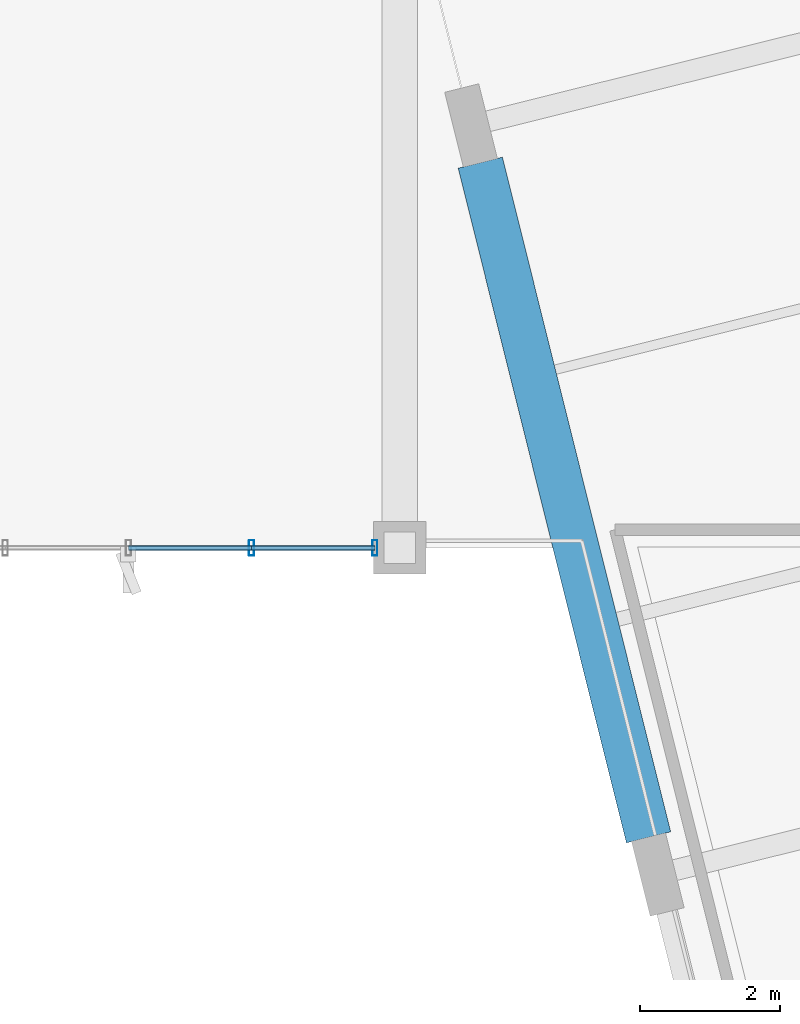
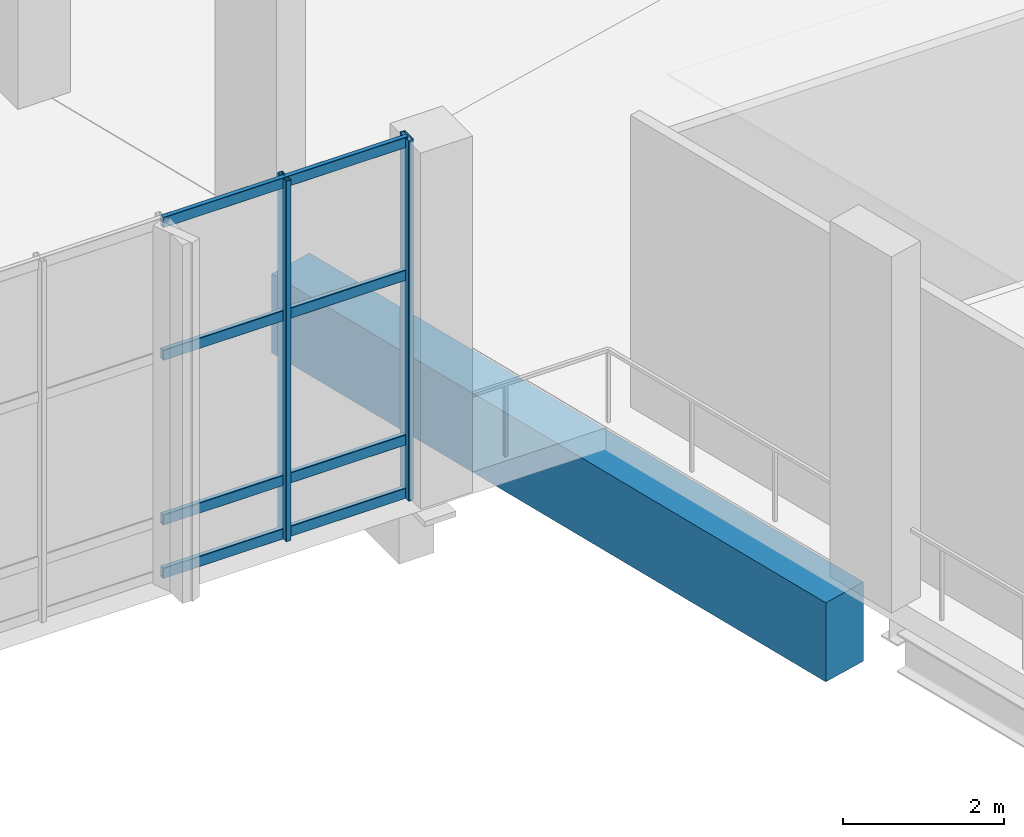
# One storey, part 72 of 176: 10 members, 1 beam, 1 element without a shape of its own.
"""IFC4 building model written with IfcOpenShell, lengths in metres."""

from ifc_helpers import new_model, si_unit, direction, frame, origin, origin_2d, place, context, subcontext, project, spatial, rectangle, hollow_rectangle, extrude, material, layer, layer_set, material_profile, profile_set, type_object, element, aggregate, save


model = new_model("IFC4")

# Units and contexts
model_context = context("Model", 3, precision=1e-05, world=origin(), true_north=direction((0.0, 1.0)))
body_context = subcontext(model_context, "Body", "Model", "MODEL_VIEW")
ifc_project = project(units=[si_unit("LENGTHUNIT", "METRE"), si_unit("AREAUNIT", "SQUARE_METRE"), si_unit("VOLUMEUNIT", "CUBIC_METRE"), si_unit("PLANEANGLEUNIT", "RADIAN"), si_unit("MASSUNIT", "GRAM", prefix="KILO")], contexts=[model_context])

# Site, building, storey
site_placement = place(None, origin())
site = spatial("IfcSite", under=ifc_project, at=site_placement, CompositionType="ELEMENT")
building_placement = place(site_placement, origin())
building = spatial("IfcBuilding", under=site, at=building_placement, Name="Khorjan Park Terminus", CompositionType="ELEMENT")
storey_placement = place(building_placement, frame((0.0, 0.0, 6.0)))
storey = spatial("IfcBuildingStorey", under=building, at=storey_placement, Name="L01", CompositionType="ELEMENT", Elevation=6.0)

# Beam
ifc_material_1 = material(Name="Concrete C40/50", Category="concrete")
ifc_material_profile_1 = material_profile(ifc_material_1, rectangle(XDim=0.65, YDim=1.2, at=origin_2d()), Name="RC 650x1200")
ifc_profile_set_1 = profile_set([ifc_material_profile_1], Name="Concrete C40/50")
beam_type = type_object("IfcBeamType", Name="BM-RC650x1200", PredefinedType="BEAM", material=ifc_profile_set_1)
beam_placement = place(storey_placement, frame((160.5459, 23.8753, -0.96), z_axis=(-0.24192775306, 0.970294265828, 0.0), x_axis=(-0.970294265828, -0.24192775306, 0.0)))
element("IfcBeam", 1, at=beam_placement, inside=storey, type_object=beam_type, Name="Primary skew-grid floor girder GB-12 (L01)", PredefinedType="BEAM", context=body_context, shape_type="SweptSolid", body=[
    extrude(rectangle(XDim=0.65, YDim=1.2, at=origin_2d()), origin(), (0.0, 0.0, 1.0), 9.91),
])

# Curtain wall, members
ifc_material_2 = material(Name="Anodized Bronze Aluminium", Category="aluminium")
ifc_layer = layer(ifc_material_2, 0.22)
ifc_layer_set = layer_set([ifc_layer], Name="Anodized Bronze Aluminium")
curtain_wall_type = type_object("IfcCurtainWallType", Name="CW-OPS-B", PredefinedType="NOTDEFINED", material=ifc_layer_set)
curtain_wall_placement = place(storey_placement, origin())
curtain_wall = element("IfcCurtainWall", 2, at=curtain_wall_placement, inside=storey, type_object=curtain_wall_type, Name="Unitized curtain wall CW-B (CW-V5L-S-L01-2)", PredefinedType="NOTDEFINED")
ifc_material_profile_2 = material_profile(ifc_material_2, hollow_rectangle(XDim=0.075, YDim=0.225, WallThickness=0.005, InnerFilletRadius=0.005, OuterFilletRadius=0.01, at=origin_2d()), Name="ALM 75x225x5")
ifc_profile_set_2 = profile_set([ifc_material_profile_2], Name="Anodized Bronze Aluminium")
member_type_1 = type_object("IfcMemberType", Name="ML-ALM-225", PredefinedType="MULLION", material=ifc_profile_set_2)
member_1_placement = place(storey_placement, frame((154.8893, 28.0, -0.035), z_axis=(0.0, 0.0, 1.0), x_axis=(1.0, 0.0, 0.0)))
member_1 = element("IfcMember", 3, at=member_1_placement, type_object=member_type_1, Name="Curtain-wall mullion ML-22 (CW-V5L-S-L01-2-6)", PredefinedType="MULLION", context=body_context, shape_type="SweptSolid", body=[
    extrude(hollow_rectangle(XDim=0.075, YDim=0.225, WallThickness=0.005, InnerFilletRadius=0.005, OuterFilletRadius=0.01, at=origin_2d()), origin(), (0.0, 0.0, 1.0), 5.47),
])
member_2_placement = place(storey_placement, frame((156.645, 28.0, -0.035), z_axis=(0.0, 0.0, 1.0), x_axis=(1.0, 0.0, 0.0)))
member_2 = element("IfcMember", 4, at=member_2_placement, type_object=member_type_1, Name="Curtain-wall mullion ML-22 (CW-V5L-S-L01-2-7)", PredefinedType="MULLION", context=body_context, shape_type="SweptSolid", body=[
    extrude(hollow_rectangle(XDim=0.075, YDim=0.225, WallThickness=0.005, InnerFilletRadius=0.005, OuterFilletRadius=0.01, at=origin_2d()), origin(), (0.0, 0.0, 1.0), 5.47),
])
ifc_material_profile_3 = material_profile(ifc_material_2, hollow_rectangle(XDim=0.07, YDim=0.16, WallThickness=0.004, InnerFilletRadius=0.004, OuterFilletRadius=0.008, at=origin_2d()), Name="ALT 70x160x4")
ifc_profile_set_3 = profile_set([ifc_material_profile_3], Name="Anodized Bronze Aluminium")
member_type_2 = type_object("IfcMemberType", Name="TR-ALT-160", PredefinedType="USERDEFINED", material=ifc_profile_set_3)
member_3_placement = place(storey_placement, frame((153.1336, 28.0, 0.04), z_axis=(1.0, 0.0, 0.0), x_axis=(0.0, 1.0, 0.0)))
member_3 = element("IfcMember", 5, at=member_3_placement, type_object=member_type_2, Name="Curtain-wall transom TR-16 (CW-V5L-S-L01-2-5-1)", ObjectType="TRANSOM", PredefinedType="USERDEFINED", context=body_context, shape_type="SweptSolid", body=[
    extrude(hollow_rectangle(XDim=0.07, YDim=0.16, WallThickness=0.004, InnerFilletRadius=0.004, OuterFilletRadius=0.008, at=origin_2d()), origin(), (0.0, 0.0, 1.0), 1.7557),
])
member_4_placement = place(storey_placement, frame((153.1336, 28.0, 0.85), z_axis=(1.0, 0.0, 0.0), x_axis=(0.0, 1.0, 0.0)))
member_4 = element("IfcMember", 6, at=member_4_placement, type_object=member_type_2, Name="Curtain-wall transom TR-16 (CW-V5L-S-L01-2-5-2)", ObjectType="TRANSOM", PredefinedType="USERDEFINED", context=body_context, shape_type="SweptSolid", body=[
    extrude(hollow_rectangle(XDim=0.07, YDim=0.16, WallThickness=0.004, InnerFilletRadius=0.004, OuterFilletRadius=0.008, at=origin_2d()), origin(), (0.0, 0.0, 1.0), 1.7557),
])
member_5_placement = place(storey_placement, frame((153.1336, 28.0, 3.348), z_axis=(1.0, 0.0, 0.0), x_axis=(0.0, 1.0, 0.0)))
member_5 = element("IfcMember", 7, at=member_5_placement, type_object=member_type_2, Name="Curtain-wall transom TR-16 (CW-V5L-S-L01-2-5-3)", ObjectType="TRANSOM", PredefinedType="USERDEFINED", context=body_context, shape_type="SweptSolid", body=[
    extrude(hollow_rectangle(XDim=0.07, YDim=0.16, WallThickness=0.004, InnerFilletRadius=0.004, OuterFilletRadius=0.008, at=origin_2d()), origin(), (0.0, 0.0, 1.0), 1.7557),
])
member_6_placement = place(storey_placement, frame((153.1336, 28.0, 5.36), z_axis=(1.0, 0.0, 0.0), x_axis=(0.0, 1.0, 0.0)))
member_6 = element("IfcMember", 8, at=member_6_placement, type_object=member_type_2, Name="Curtain-wall transom TR-16 (CW-V5L-S-L01-2-5-4)", ObjectType="TRANSOM", PredefinedType="USERDEFINED", context=body_context, shape_type="SweptSolid", body=[
    extrude(hollow_rectangle(XDim=0.07, YDim=0.16, WallThickness=0.004, InnerFilletRadius=0.004, OuterFilletRadius=0.008, at=origin_2d()), origin(), (0.0, 0.0, 1.0), 1.7557),
])
member_7_placement = place(storey_placement, frame((154.8893, 28.0, 0.04), z_axis=(1.0, 0.0, 0.0), x_axis=(0.0, 1.0, 0.0)))
member_7 = element("IfcMember", 9, at=member_7_placement, type_object=member_type_2, Name="Curtain-wall transom TR-16 (CW-V5L-S-L01-2-6-1)", ObjectType="TRANSOM", PredefinedType="USERDEFINED", context=body_context, shape_type="SweptSolid", body=[
    extrude(hollow_rectangle(XDim=0.07, YDim=0.16, WallThickness=0.004, InnerFilletRadius=0.004, OuterFilletRadius=0.008, at=origin_2d()), origin(), (0.0, 0.0, 1.0), 1.7557),
])
member_8_placement = place(storey_placement, frame((154.8893, 28.0, 0.85), z_axis=(1.0, 0.0, 0.0), x_axis=(0.0, 1.0, 0.0)))
member_8 = element("IfcMember", 10, at=member_8_placement, type_object=member_type_2, Name="Curtain-wall transom TR-16 (CW-V5L-S-L01-2-6-2)", ObjectType="TRANSOM", PredefinedType="USERDEFINED", context=body_context, shape_type="SweptSolid", body=[
    extrude(hollow_rectangle(XDim=0.07, YDim=0.16, WallThickness=0.004, InnerFilletRadius=0.004, OuterFilletRadius=0.008, at=origin_2d()), origin(), (0.0, 0.0, 1.0), 1.7557),
])
member_9_placement = place(storey_placement, frame((154.8893, 28.0, 3.348), z_axis=(1.0, 0.0, 0.0), x_axis=(0.0, 1.0, 0.0)))
member_9 = element("IfcMember", 11, at=member_9_placement, type_object=member_type_2, Name="Curtain-wall transom TR-16 (CW-V5L-S-L01-2-6-3)", ObjectType="TRANSOM", PredefinedType="USERDEFINED", context=body_context, shape_type="SweptSolid", body=[
    extrude(hollow_rectangle(XDim=0.07, YDim=0.16, WallThickness=0.004, InnerFilletRadius=0.004, OuterFilletRadius=0.008, at=origin_2d()), origin(), (0.0, 0.0, 1.0), 1.7557),
])
member_10_placement = place(storey_placement, frame((154.8893, 28.0, 5.36), z_axis=(1.0, 0.0, 0.0), x_axis=(0.0, 1.0, 0.0)))
member_10 = element("IfcMember", 12, at=member_10_placement, type_object=member_type_2, Name="Curtain-wall transom TR-16 (CW-V5L-S-L01-2-6-4)", ObjectType="TRANSOM", PredefinedType="USERDEFINED", context=body_context, shape_type="SweptSolid", body=[
    extrude(hollow_rectangle(XDim=0.07, YDim=0.16, WallThickness=0.004, InnerFilletRadius=0.004, OuterFilletRadius=0.008, at=origin_2d()), origin(), (0.0, 0.0, 1.0), 1.7557),
])
aggregate(curtain_wall, [member_1, member_2, member_3, member_4, member_5, member_6, member_7, member_8, member_9, member_10])

save(model, "model.ifc")
